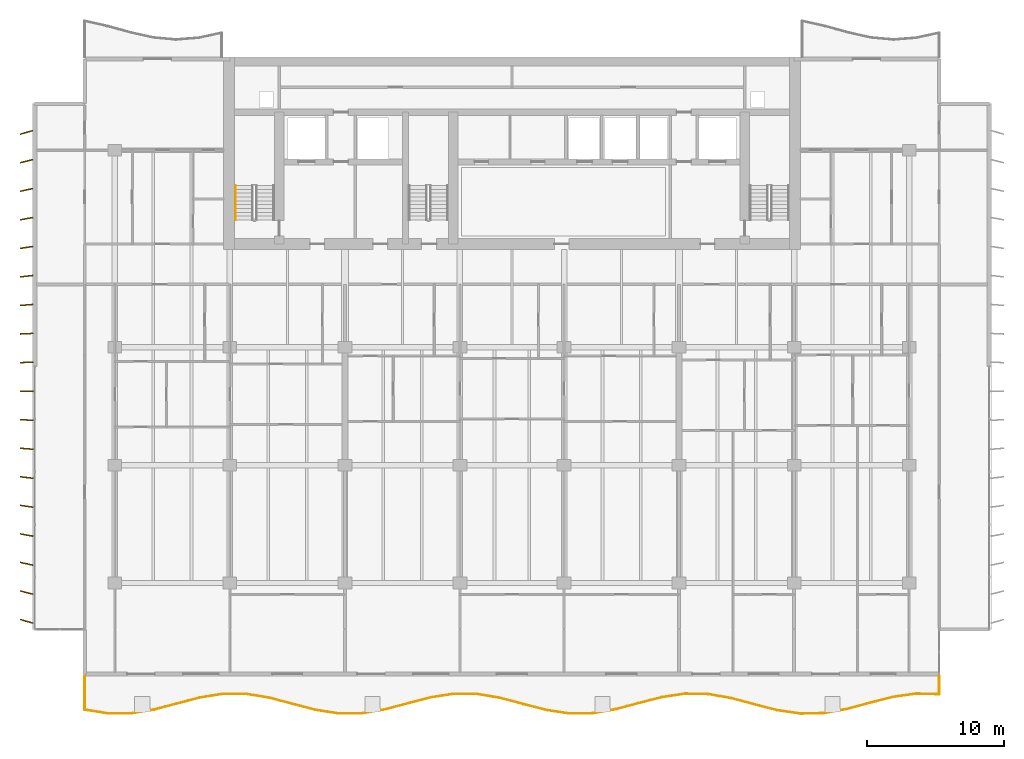
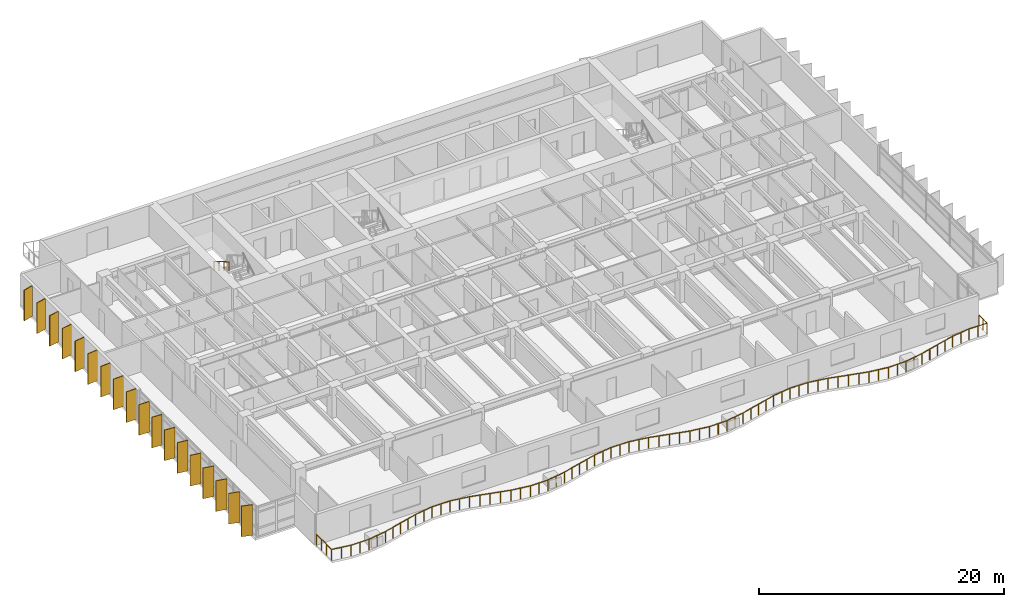
# One storey, part 12 of 15: 18 shading devices, 2 railings.
"""IFC4 building model written with IfcOpenShell, lengths in metres."""

from ifc_helpers import new_model, si_unit, direction, frame, origin, origin_2d, place, context, subcontext, project, spatial, rectangle, circle, extrude, material, material_profile, profile_set, type_object, element, save


model = new_model("IFC4")

# Units and contexts
model_context = context("Model", 3, precision=1e-05, world=origin(), true_north=direction((0.0, 1.0)))
body_context = subcontext(model_context, "Body", "Model", "MODEL_VIEW")
ifc_project = project(units=[si_unit("LENGTHUNIT", "METRE"), si_unit("AREAUNIT", "SQUARE_METRE"), si_unit("VOLUMEUNIT", "CUBIC_METRE"), si_unit("PLANEANGLEUNIT", "RADIAN"), si_unit("MASSUNIT", "GRAM", prefix="KILO")], contexts=[model_context])

# Site, building, storey
site_placement = place(None, origin())
site = spatial("IfcSite", under=ifc_project, at=site_placement, CompositionType="ELEMENT")
building_placement = place(site_placement, origin())
building = spatial("IfcBuilding", under=site, at=building_placement, Name="Caelmar Bay Residences", CompositionType="ELEMENT")
storey_placement = place(building_placement, frame((0.0, 0.0, 132.300048828125)))
storey = spatial("IfcBuildingStorey", under=building, at=storey_placement, Name="L36", CompositionType="ELEMENT", Elevation=132.300048828125)

# Railings
ifc_material_1 = material(Name="Anodised bronze handrail with laminated hurricane glass infill", Category="glass")
railing_type_1 = type_object("IfcRailingType", Name="RL-BAL-1100", PredefinedType="BALUSTRADE", material=ifc_material_1)
railing_1_placement = place(storey_placement, frame((7.699951171875, 5.39990234375, 0.0)))
element("IfcRailing", 1, at=railing_1_placement, inside=storey, type_object=railing_type_1, Name="L36 south Balcony Balustrade", PredefinedType="BALUSTRADE", context=body_context, shape_type="SweptSolid", body=[
    extrude(circle(Radius=0.02392578125, at=origin_2d()), frame((0.0, 0.0, 1.076171875), z_axis=(0.0, -1.0, 0.0), x_axis=(1.0, 0.0, 0.0)), (0.0, 0.0, 1.0), 2.460693359375),
    extrude(circle(Radius=0.02392578125, at=origin_2d()), frame((0.0, -2.460693359375, 1.076171875), z_axis=(0.987132923868, -0.159901815548, 0.0), x_axis=(0.159901815548, 0.987132923868, 0.0)), (0.0, 0.0, 1.0), 1.70849609375),
    extrude(circle(Radius=0.02392578125, at=origin_2d()), frame((1.6865234375, -2.73388671875, 1.076171875), z_axis=(0.999999486594, 0.001013317372, 0.0), x_axis=(-0.001013317372, 0.999999486594, 0.0)), (0.0, 0.0, 1.0), 1.6865234375),
    extrude(circle(Radius=0.02392578125, at=origin_2d()), frame((3.373046875, -2.732177734375, 1.076171875), z_axis=(0.986883688371, 0.161432913703, 0.0), x_axis=(-0.161432913703, 0.986883688371, 0.0)), (0.0, 0.0, 1.0), 1.708984375),
    extrude(circle(Radius=0.02392578125, at=origin_2d()), frame((5.0595703125, -2.456298828125, 1.076171875), z_axis=(0.967096298002, 0.254410594103, 0.0), x_axis=(-0.254410594103, 0.967096298002, 0.0)), (0.0, 0.0, 1.0), 1.74365234375),
    extrude(circle(Radius=0.02392578125, at=origin_2d()), frame((6.745849609375, -2.0126953125, 1.076171875), z_axis=(0.967483280778, 0.252934974679, 0.0), x_axis=(-0.252934974679, 0.967483280778, 0.0)), (0.0, 0.0, 1.0), 1.7431640625),
    extrude(circle(Radius=0.02392578125, at=origin_2d()), frame((8.432373046875, -1.57177734375, 1.076171875), z_axis=(0.987558114501, 0.157254476831, 0.0), x_axis=(-0.157254476831, 0.987558114501, 0.0)), (0.0, 0.0, 1.0), 1.707763671875),
    extrude(circle(Radius=0.02392578125, at=origin_2d()), frame((10.118896484375, -1.30322265625, 1.076171875), z_axis=(0.999990570217, -0.004342750015, 0.0), x_axis=(0.004342750015, 0.999990570217, 0.0)), (0.0, 0.0, 1.0), 1.6865234375),
    extrude(circle(Radius=0.02392578125, at=origin_2d()), frame((11.805419921875, -1.310546875, 1.076171875), z_axis=(0.986471004966, -0.163935830009, 0.0), x_axis=(0.163935830009, 0.986471004966, 0.0)), (0.0, 0.0, 1.0), 1.709716796875),
    extrude(circle(Radius=0.02392578125, at=origin_2d()), frame((13.491943359375, -1.5908203125, 1.076171875), z_axis=(0.966829344983, -0.255423212883, 0.0), x_axis=(0.255423212883, 0.966829344983, 0.0)), (0.0, 0.0, 1.0), 1.744384765625),
    extrude(circle(Radius=0.02392578125, at=origin_2d()), frame((15.178466796875, -2.036376953125, 1.076171875), z_axis=(0.967756968159, -0.251885788759, 0.0), x_axis=(0.251885788759, 0.967756968159, 0.0)), (0.0, 0.0, 1.0), 1.74267578125),
    extrude(circle(Radius=0.02392578125, at=origin_2d()), frame((16.864990234375, -2.475341796875, 1.076171875), z_axis=(0.987998395737, -0.154464138303, 0.0), x_axis=(0.154464138303, 0.987998395737, 0.0)), (0.0, 0.0, 1.0), 1.70703125),
    extrude(circle(Radius=0.02392578125, at=origin_2d()), frame((18.551513671875, -2.739013671875, 1.076171875), z_axis=(0.999970560959, 0.00767314894, 0.0), x_axis=(-0.00767314894, 0.999970560959, 0.0)), (0.0, 0.0, 1.0), 1.686279296875),
    extrude(circle(Radius=0.02392578125, at=origin_2d()), frame((20.23779296875, -2.72607421875, 1.076171875), z_axis=(0.986052329388, 0.16643558426, 0.0), x_axis=(-0.16643558426, 0.986052329388, 0.0)), (0.0, 0.0, 1.0), 1.71044921875),
    extrude(circle(Radius=0.02392578125, at=origin_2d()), frame((21.92431640625, -2.44140625, 1.076171875), z_axis=(0.966621694797, 0.25620792171, 0.0), x_axis=(-0.25620792171, 0.966621694797, 0.0)), (0.0, 0.0, 1.0), 1.744873046875),
    extrude(circle(Radius=0.02392578125, at=origin_2d()), frame((23.61083984375, -1.994384765625, 1.076171875), z_axis=(0.968029671356, 0.250835713915, 0.0), x_axis=(-0.250835713915, 0.968029671356, 0.0)), (0.0, 0.0, 1.0), 1.7421875),
    extrude(circle(Radius=0.02392578125, at=origin_2d()), frame((25.29736328125, -1.557373046875, 1.076171875), z_axis=(0.988388232703, 0.151949667506, 0.0), x_axis=(-0.151949667506, 0.988388232703, 0.0)), (0.0, 0.0, 1.0), 1.706298828125),
    extrude(circle(Radius=0.02392578125, at=origin_2d()), frame((26.98388671875, -1.298095703125, 1.076171875), z_axis=(0.999937883593, -0.011145804435, 0.0), x_axis=(0.011145804435, 0.999937883593, 0.0)), (0.0, 0.0, 1.0), 1.6865234375),
    extrude(circle(Radius=0.02392578125, at=origin_2d()), frame((28.67041015625, -1.31689453125, 1.076171875), z_axis=(0.985627685391, -0.168932133686, 0.0), x_axis=(0.168932133686, 0.985627685391, 0.0)), (0.0, 0.0, 1.0), 1.711181640625),
    extrude(circle(Radius=0.02392578125, at=origin_2d()), frame((30.35693359375, -1.60595703125, 1.076171875), z_axis=(0.966404256029, -0.257026873943, 0.0), x_axis=(0.257026873943, 0.966404256029, 0.0)), (0.0, 0.0, 1.0), 1.744873046875),
    extrude(circle(Radius=0.02392578125, at=origin_2d()), frame((32.043212890625, -2.054443359375, 1.076171875), z_axis=(0.968301387607, -0.249784752854, 0.0), x_axis=(0.249784752854, 0.968301387607, 0.0)), (0.0, 0.0, 1.0), 1.74169921875),
    extrude(circle(Radius=0.02392578125, at=origin_2d()), frame((33.729736328125, -2.489501953125, 1.076171875), z_axis=(0.988793107304, -0.149292300365, 0.0), x_axis=(0.149292300365, 0.988793107304, 0.0)), (0.0, 0.0, 1.0), 1.70556640625),
    extrude(circle(Radius=0.02392578125, at=origin_2d()), frame((35.416259765625, -2.744140625, 1.076171875), z_axis=(0.999895239612, 0.014474453382, 0.0), x_axis=(-0.014474453382, 0.999895239612, 0.0)), (0.0, 0.0, 1.0), 1.686767578125),
    extrude(circle(Radius=0.02392578125, at=origin_2d()), frame((37.102783203125, -2.7197265625, 1.076171875), z_axis=(0.985197097009, 0.171425435814, 0.0), x_axis=(-0.171425435814, 0.985197097009, 0.0)), (0.0, 0.0, 1.0), 1.7119140625),
    extrude(circle(Radius=0.02392578125, at=origin_2d()), frame((38.789306640625, -2.42626953125, 1.076171875), z_axis=(0.966204754092, 0.257775819599, 0.0), x_axis=(-0.257775819599, 0.966204754092, 0.0)), (0.0, 0.0, 1.0), 1.74560546875),
    extrude(circle(Radius=0.02392578125, at=origin_2d()), frame((40.475830078125, -1.976318359375, 1.076171875), z_axis=(0.968572114161, 0.248732908298, 0.0), x_axis=(-0.248732908298, 0.968572114161, 0.0)), (0.0, 0.0, 1.0), 1.7412109375),
    extrude(circle(Radius=0.02392578125, at=origin_2d()), frame((42.162353515625, -1.543212890625, 1.076171875), z_axis=(0.989208844388, 0.146512327756, 0.0), x_axis=(-0.146512327756, 0.989208844388, 0.0)), (0.0, 0.0, 1.0), 1.70458984375),
    extrude(circle(Radius=0.02392578125, at=origin_2d()), frame((43.8486328125, -1.29345703125, 1.076171875), z_axis=(0.999844086604, -0.017657929729, 0.0), x_axis=(0.017657929729, 0.999844086604, 0.0)), (0.0, 0.0, 1.0), 1.686767578125),
    extrude(circle(Radius=0.02392578125, at=origin_2d()), frame((45.53515625, -1.3232421875, 1.076171875), z_axis=(0.984736165002, -0.174053685215, 0.0), x_axis=(0.174053685215, 0.984736165002, 0.0)), (0.0, 0.0, 1.0), 1.712646484375),
    extrude(circle(Radius=0.02392578125, at=origin_2d()), frame((47.2216796875, -1.621337890625, 1.076171875), z_axis=(0.966030385071, -0.258428510656, 0.0), x_axis=(0.258428510656, 0.966030385071, 0.0)), (0.0, 0.0, 1.0), 1.745849609375),
    extrude(circle(Radius=0.02392578125, at=origin_2d()), frame((48.908203125, -2.072509765625, 1.076171875), z_axis=(0.968841848269, -0.247680182983, 0.0), x_axis=(0.247680182983, 0.968841848269, 0.0)), (0.0, 0.0, 1.0), 1.74072265625),
    extrude(circle(Radius=0.02392578125, at=origin_2d()), frame((50.5947265625, -2.503662109375, 1.076171875), z_axis=(0.989623137392, -0.143687320035, 0.0), x_axis=(0.143687320035, 0.989623137392, 0.0)), (0.0, 0.0, 1.0), 1.7041015625),
    extrude(circle(Radius=0.02392578125, at=origin_2d()), frame((52.28125, -2.74853515625, 1.076171875), z_axis=(0.999779715685, 0.020988570837, 0.0), x_axis=(-0.020988570837, 0.999779715685, 0.0)), (0.0, 0.0, 1.0), 1.686767578125),
    extrude(circle(Radius=0.02392578125, at=origin_2d()), frame((53.967529296875, -2.713134765625, 1.076171875), z_axis=(0.984318184636, 0.176402129789, 0.0), x_axis=(-0.176402129789, 0.984318184636, 0.0)), (0.0, 0.0, 1.0), 1.71337890625),
    extrude(circle(Radius=0.02392578125, at=origin_2d()), frame((55.654052734375, -2.410888671875, 1.076171875), z_axis=(0.965785634121, 0.259341683743, 0.0), x_axis=(-0.259341683743, 0.965785634121, 0.0)), (0.0, 0.0, 1.0), 1.746337890625),
    extrude(circle(Radius=0.02392578125, at=origin_2d()), frame((57.340576171875, -1.9580078125, 1.076171875), z_axis=(0.969177616103, 0.246363041962, 0.0), x_axis=(-0.246363041962, 0.969177616103, 0.0)), (0.0, 0.0, 1.0), 1.740234375),
    extrude(circle(Radius=0.02392578125, at=origin_2d()), frame((59.027099609375, -1.529296875, 1.076171875), z_axis=(0.990006737563, 0.141020068003, 0.0), x_axis=(-0.141020068003, 0.990006737563, 0.0)), (0.0, 0.0, 1.0), 1.70361328125),
    extrude(circle(Radius=0.02392578125, at=origin_2d()), frame((60.713623046875, -1.2890625, 1.076171875), z_axis=(0.999700881094, -0.024457071353, 0.0), x_axis=(0.024457071353, 0.999700881094, 0.0)), (0.0, 0.0, 1.0), 1.68701171875),
    extrude(circle(Radius=0.02392578125, at=origin_2d()), frame((62.400146484375, -1.330322265625, 1.076171875), z_axis=(0.0, 1.0, 0.0), x_axis=(-1.0, 0.0, 0.0)), (0.0, 0.0, 1.0), 1.330322265625),
    extrude(circle(Radius=0.02099609375, at=origin_2d()), origin(), (0.0, 0.0, 1.0), 1.052001953125),
    extrude(circle(Radius=0.02099609375, at=origin_2d()), frame((0.0, -0.8203125, 0.0)), (0.0, 0.0, 1.0), 1.052001953125),
    extrude(circle(Radius=0.02099609375, at=origin_2d()), frame((0.0, -1.640380859375, 0.0)), (0.0, 0.0, 1.0), 1.052001953125),
    extrude(circle(Radius=0.02099609375, at=origin_2d()), frame((0.0, -2.460693359375, 0.0)), (0.0, 0.0, 1.0), 1.052001953125),
    extrude(circle(Radius=0.02099609375, at=origin_2d()), frame((0.84326171875, -2.59716796875, 0.0)), (0.0, 0.0, 1.0), 1.052001953125),
    extrude(circle(Radius=0.02099609375, at=origin_2d()), frame((1.6865234375, -2.73388671875, 0.0)), (0.0, 0.0, 1.0), 1.052001953125),
    extrude(circle(Radius=0.02099609375, at=origin_2d()), frame((2.52978515625, -2.73291015625, 0.0)), (0.0, 0.0, 1.0), 1.052001953125),
    extrude(circle(Radius=0.02099609375, at=origin_2d()), frame((3.373046875, -2.732177734375, 0.0)), (0.0, 0.0, 1.0), 1.052001953125),
    extrude(circle(Radius=0.02099609375, at=origin_2d()), frame((4.21630859375, -2.59423828125, 0.0)), (0.0, 0.0, 1.0), 1.052001953125),
    extrude(circle(Radius=0.02099609375, at=origin_2d()), frame((5.0595703125, -2.456298828125, 0.0)), (0.0, 0.0, 1.0), 1.052001953125),
    extrude(circle(Radius=0.02099609375, at=origin_2d()), frame((5.90283203125, -2.234375, 0.0)), (0.0, 0.0, 1.0), 1.052001953125),
    extrude(circle(Radius=0.02099609375, at=origin_2d()), frame((6.745849609375, -2.0126953125, 0.0)), (0.0, 0.0, 1.0), 1.052001953125),
    extrude(circle(Radius=0.02099609375, at=origin_2d()), frame((7.589111328125, -1.792236328125, 0.0)), (0.0, 0.0, 1.0), 1.052001953125),
    extrude(circle(Radius=0.02099609375, at=origin_2d()), frame((8.432373046875, -1.57177734375, 0.0)), (0.0, 0.0, 1.0), 1.052001953125),
    extrude(circle(Radius=0.02099609375, at=origin_2d()), frame((9.275634765625, -1.4375, 0.0)), (0.0, 0.0, 1.0), 1.052001953125),
    extrude(circle(Radius=0.02099609375, at=origin_2d()), frame((10.118896484375, -1.30322265625, 0.0)), (0.0, 0.0, 1.0), 1.052001953125),
    extrude(circle(Radius=0.02099609375, at=origin_2d()), frame((10.962158203125, -1.306884765625, 0.0)), (0.0, 0.0, 1.0), 1.052001953125),
    extrude(circle(Radius=0.02099609375, at=origin_2d()), frame((11.805419921875, -1.310546875, 0.0)), (0.0, 0.0, 1.0), 1.052001953125),
    extrude(circle(Radius=0.02099609375, at=origin_2d()), frame((12.648681640625, -1.45068359375, 0.0)), (0.0, 0.0, 1.0), 1.052001953125),
    extrude(circle(Radius=0.02099609375, at=origin_2d()), frame((13.491943359375, -1.5908203125, 0.0)), (0.0, 0.0, 1.0), 1.052001953125),
    extrude(circle(Radius=0.02099609375, at=origin_2d()), frame((14.335205078125, -1.8134765625, 0.0)), (0.0, 0.0, 1.0), 1.052001953125),
    extrude(circle(Radius=0.02099609375, at=origin_2d()), frame((15.178466796875, -2.036376953125, 0.0)), (0.0, 0.0, 1.0), 1.052001953125),
    extrude(circle(Radius=0.02099609375, at=origin_2d()), frame((16.021728515625, -2.255859375, 0.0)), (0.0, 0.0, 1.0), 1.052001953125),
    extrude(circle(Radius=0.02099609375, at=origin_2d()), frame((16.864990234375, -2.475341796875, 0.0)), (0.0, 0.0, 1.0), 1.052001953125),
    extrude(circle(Radius=0.02099609375, at=origin_2d()), frame((17.708251953125, -2.607177734375, 0.0)), (0.0, 0.0, 1.0), 1.052001953125),
    extrude(circle(Radius=0.02099609375, at=origin_2d()), frame((18.551513671875, -2.739013671875, 0.0)), (0.0, 0.0, 1.0), 1.052001953125),
    extrude(circle(Radius=0.02099609375, at=origin_2d()), frame((19.39453125, -2.732421875, 0.0)), (0.0, 0.0, 1.0), 1.052001953125),
    extrude(circle(Radius=0.02099609375, at=origin_2d()), frame((20.23779296875, -2.72607421875, 0.0)), (0.0, 0.0, 1.0), 1.052001953125),
    extrude(circle(Radius=0.02099609375, at=origin_2d()), frame((21.0810546875, -2.583740234375, 0.0)), (0.0, 0.0, 1.0), 1.052001953125),
    extrude(circle(Radius=0.02099609375, at=origin_2d()), frame((21.92431640625, -2.44140625, 0.0)), (0.0, 0.0, 1.0), 1.052001953125),
    extrude(circle(Radius=0.02099609375, at=origin_2d()), frame((22.767578125, -2.2177734375, 0.0)), (0.0, 0.0, 1.0), 1.052001953125),
    extrude(circle(Radius=0.02099609375, at=origin_2d()), frame((23.61083984375, -1.994384765625, 0.0)), (0.0, 0.0, 1.0), 1.052001953125),
    extrude(circle(Radius=0.02099609375, at=origin_2d()), frame((24.4541015625, -1.77587890625, 0.0)), (0.0, 0.0, 1.0), 1.052001953125),
    extrude(circle(Radius=0.02099609375, at=origin_2d()), frame((25.29736328125, -1.557373046875, 0.0)), (0.0, 0.0, 1.0), 1.052001953125),
    extrude(circle(Radius=0.02099609375, at=origin_2d()), frame((26.140625, -1.427734375, 0.0)), (0.0, 0.0, 1.0), 1.052001953125),
    extrude(circle(Radius=0.02099609375, at=origin_2d()), frame((26.98388671875, -1.298095703125, 0.0)), (0.0, 0.0, 1.0), 1.052001953125),
    extrude(circle(Radius=0.02099609375, at=origin_2d()), frame((27.8271484375, -1.3076171875, 0.0)), (0.0, 0.0, 1.0), 1.052001953125),
    extrude(circle(Radius=0.02099609375, at=origin_2d()), frame((28.67041015625, -1.31689453125, 0.0)), (0.0, 0.0, 1.0), 1.052001953125),
    extrude(circle(Radius=0.02099609375, at=origin_2d()), frame((29.513671875, -1.46142578125, 0.0)), (0.0, 0.0, 1.0), 1.052001953125),
    extrude(circle(Radius=0.02099609375, at=origin_2d()), frame((30.35693359375, -1.60595703125, 0.0)), (0.0, 0.0, 1.0), 1.052001953125),
    extrude(circle(Radius=0.02099609375, at=origin_2d()), frame((31.2001953125, -1.830078125, 0.0)), (0.0, 0.0, 1.0), 1.052001953125),
    extrude(circle(Radius=0.02099609375, at=origin_2d()), frame((32.043212890625, -2.054443359375, 0.0)), (0.0, 0.0, 1.0), 1.052001953125),
    extrude(circle(Radius=0.02099609375, at=origin_2d()), frame((32.886474609375, -2.27197265625, 0.0)), (0.0, 0.0, 1.0), 1.052001953125),
    extrude(circle(Radius=0.02099609375, at=origin_2d()), frame((33.729736328125, -2.489501953125, 0.0)), (0.0, 0.0, 1.0), 1.052001953125),
    extrude(circle(Radius=0.02099609375, at=origin_2d()), frame((34.572998046875, -2.61669921875, 0.0)), (0.0, 0.0, 1.0), 1.052001953125),
    extrude(circle(Radius=0.02099609375, at=origin_2d()), frame((35.416259765625, -2.744140625, 0.0)), (0.0, 0.0, 1.0), 1.052001953125),
    extrude(circle(Radius=0.02099609375, at=origin_2d()), frame((36.259521484375, -2.73193359375, 0.0)), (0.0, 0.0, 1.0), 1.052001953125),
    extrude(circle(Radius=0.02099609375, at=origin_2d()), frame((37.102783203125, -2.7197265625, 0.0)), (0.0, 0.0, 1.0), 1.052001953125),
    extrude(circle(Radius=0.02099609375, at=origin_2d()), frame((37.946044921875, -2.572998046875, 0.0)), (0.0, 0.0, 1.0), 1.052001953125),
    extrude(circle(Radius=0.02099609375, at=origin_2d()), frame((38.789306640625, -2.42626953125, 0.0)), (0.0, 0.0, 1.0), 1.052001953125),
    extrude(circle(Radius=0.02099609375, at=origin_2d()), frame((39.632568359375, -2.201171875, 0.0)), (0.0, 0.0, 1.0), 1.052001953125),
    extrude(circle(Radius=0.02099609375, at=origin_2d()), frame((40.475830078125, -1.976318359375, 0.0)), (0.0, 0.0, 1.0), 1.052001953125),
    extrude(circle(Radius=0.02099609375, at=origin_2d()), frame((41.319091796875, -1.759765625, 0.0)), (0.0, 0.0, 1.0), 1.052001953125),
    extrude(circle(Radius=0.02099609375, at=origin_2d()), frame((42.162353515625, -1.543212890625, 0.0)), (0.0, 0.0, 1.0), 1.052001953125),
    extrude(circle(Radius=0.02099609375, at=origin_2d()), frame((43.00537109375, -1.41845703125, 0.0)), (0.0, 0.0, 1.0), 1.052001953125),
    extrude(circle(Radius=0.02099609375, at=origin_2d()), frame((43.8486328125, -1.29345703125, 0.0)), (0.0, 0.0, 1.0), 1.052001953125),
    extrude(circle(Radius=0.02099609375, at=origin_2d()), frame((44.69189453125, -1.308349609375, 0.0)), (0.0, 0.0, 1.0), 1.052001953125),
    extrude(circle(Radius=0.02099609375, at=origin_2d()), frame((45.53515625, -1.3232421875, 0.0)), (0.0, 0.0, 1.0), 1.052001953125),
    extrude(circle(Radius=0.02099609375, at=origin_2d()), frame((46.37841796875, -1.47216796875, 0.0)), (0.0, 0.0, 1.0), 1.052001953125),
    extrude(circle(Radius=0.02099609375, at=origin_2d()), frame((47.2216796875, -1.621337890625, 0.0)), (0.0, 0.0, 1.0), 1.052001953125),
    extrude(circle(Radius=0.02099609375, at=origin_2d()), frame((48.06494140625, -1.846923828125, 0.0)), (0.0, 0.0, 1.0), 1.052001953125),
    extrude(circle(Radius=0.02099609375, at=origin_2d()), frame((48.908203125, -2.072509765625, 0.0)), (0.0, 0.0, 1.0), 1.052001953125),
    extrude(circle(Radius=0.02099609375, at=origin_2d()), frame((49.75146484375, -2.2880859375, 0.0)), (0.0, 0.0, 1.0), 1.052001953125),
    extrude(circle(Radius=0.02099609375, at=origin_2d()), frame((50.5947265625, -2.503662109375, 0.0)), (0.0, 0.0, 1.0), 1.052001953125),
    extrude(circle(Radius=0.02099609375, at=origin_2d()), frame((51.43798828125, -2.6259765625, 0.0)), (0.0, 0.0, 1.0), 1.052001953125),
    extrude(circle(Radius=0.02099609375, at=origin_2d()), frame((52.28125, -2.74853515625, 0.0)), (0.0, 0.0, 1.0), 1.052001953125),
    extrude(circle(Radius=0.02099609375, at=origin_2d()), frame((53.12451171875, -2.73095703125, 0.0)), (0.0, 0.0, 1.0), 1.052001953125),
    extrude(circle(Radius=0.02099609375, at=origin_2d()), frame((53.967529296875, -2.713134765625, 0.0)), (0.0, 0.0, 1.0), 1.052001953125),
    extrude(circle(Radius=0.02099609375, at=origin_2d()), frame((54.810791015625, -2.56201171875, 0.0)), (0.0, 0.0, 1.0), 1.052001953125),
    extrude(circle(Radius=0.02099609375, at=origin_2d()), frame((55.654052734375, -2.410888671875, 0.0)), (0.0, 0.0, 1.0), 1.052001953125),
    extrude(circle(Radius=0.02099609375, at=origin_2d()), frame((56.497314453125, -2.1845703125, 0.0)), (0.0, 0.0, 1.0), 1.052001953125),
    extrude(circle(Radius=0.02099609375, at=origin_2d()), frame((57.340576171875, -1.9580078125, 0.0)), (0.0, 0.0, 1.0), 1.052001953125),
    extrude(circle(Radius=0.02099609375, at=origin_2d()), frame((58.183837890625, -1.74365234375, 0.0)), (0.0, 0.0, 1.0), 1.052001953125),
    extrude(circle(Radius=0.02099609375, at=origin_2d()), frame((59.027099609375, -1.529296875, 0.0)), (0.0, 0.0, 1.0), 1.052001953125),
    extrude(circle(Radius=0.02099609375, at=origin_2d()), frame((59.870361328125, -1.4091796875, 0.0)), (0.0, 0.0, 1.0), 1.052001953125),
    extrude(circle(Radius=0.02099609375, at=origin_2d()), frame((60.713623046875, -1.2890625, 0.0)), (0.0, 0.0, 1.0), 1.052001953125),
    extrude(circle(Radius=0.02099609375, at=origin_2d()), frame((61.556884765625, -1.3095703125, 0.0)), (0.0, 0.0, 1.0), 1.052001953125),
    extrude(circle(Radius=0.02099609375, at=origin_2d()), frame((62.400146484375, -1.330322265625, 0.0)), (0.0, 0.0, 1.0), 1.052001953125),
    extrude(circle(Radius=0.02099609375, at=origin_2d()), frame((62.400146484375, -0.6650390625, 0.0)), (0.0, 0.0, 1.0), 1.052001953125),
    extrude(circle(Radius=0.02099609375, at=origin_2d()), frame((62.400146484375, 0.0, 0.0)), (0.0, 0.0, 1.0), 1.052001953125),
])
ifc_material_2 = material(Name="Brushed bronze stainless-steel tubular handrail 900 mm", Category="steel")
railing_type_2 = type_object("IfcRailingType", Name="RL-HND-900", PredefinedType="HANDRAIL", material=ifc_material_2)
railing_2_placement = place(storey_placement, frame((18.699951171875, 41.219970703125, 1.81494140625)))
element("IfcRailing", 2, at=railing_2_placement, inside=storey, type_object=railing_type_2, Name="L36 ST1 stair handrail 2", PredefinedType="HANDRAIL", context=body_context, shape_type="SweptSolid", body=[
    extrude(circle(Radius=0.02392578125, at=origin_2d()), frame((0.0, 0.0, 0.8759765625), z_axis=(0.0, -0.86152411907, 0.507716645641), x_axis=(1.0, 0.0, 0.0)), (0.0, 0.0, 1.0), 2.925048828125),
    extrude(circle(Radius=0.02099609375, at=origin_2d()), origin(), (0.0, 0.0, 1.0), 0.851806640625),
    extrude(circle(Radius=0.02099609375, at=origin_2d()), frame((0.0, -0.840087890625, 0.4951171875)), (0.0, 0.0, 1.0), 0.851806640625),
    extrude(circle(Radius=0.02099609375, at=origin_2d()), frame((0.0, -1.679931640625, 0.989990234375)), (0.0, 0.0, 1.0), 0.851806640625),
    extrude(circle(Radius=0.02099609375, at=origin_2d()), frame((0.0, -2.52001953125, 1.485107421875)), (0.0, 0.0, 1.0), 0.851806640625),
])

# Shading devices
ifc_material_3 = material(Name="Anodised architectural bronze aluminium 6063-T6", Category="aluminium")
ifc_material_profile = material_profile(ifc_material_3, rectangle(XDim=0.074951171875, YDim=0.949951171875, at=origin_2d()), Name="BRONZE-FIN-75X950")
ifc_profile_set = profile_set([ifc_material_profile], Name="Anodised architectural bronze aluminium 6063-T6")
shading_device_type = type_object("IfcShadingDeviceType", Name="SHD-FIN-950", PredefinedType="USERDEFINED", material=ifc_profile_set)
for number, where, z_axis, x_axis, name in (
    (3, (3.449951171875, 9.39990234375, 0.0), (0.0, 0.0, 1.0), (0.275637355817, 0.961261695938, 0.0), "L36 West Bronze Solar Fin 1"),
    (4, (3.449951171875, 11.5, 0.0), (0.0, 0.0, 1.0), (0.243953546137, 0.969786918517, 0.0), "L36 West Bronze Solar Fin 2"),
    (5, (3.449951171875, 13.60009765625, 0.0), (0.0, 0.0, 1.0), (0.212007109922, 0.977268123568, 0.0), "L36 West Bronze Solar Fin 3"),
    (6, (3.449951171875, 15.699951171875, 0.0), (0.0, 0.0, 1.0), (0.179660748593, 0.98372862895, 0.0), "L36 West Bronze Solar Fin 4"),
    (7, (3.449951171875, 17.800048828125, 0.0), (0.0, 0.0, 1.0), (0.147291543397, 0.989093120613, 0.0), "L36 West Bronze Solar Fin 5"),
    (8, (3.449951171875, 19.89990234375, 0.0), (0.0, 0.0, 1.0), (0.114763772489, 0.993392810787, 0.0), "L36 West Bronze Solar Fin 6"),
    (9, (3.449951171875, 22.0, 0.0), (0.0, 0.0, 1.0), (0.08211245342, 0.996623070671, 0.0), "L36 West Bronze Solar Fin 7"),
    (10, (3.449951171875, 24.10009765625, 0.0), (0.0, 0.0, 1.0), (0.049198415926, 0.998789024705, 0.0), "L36 West Bronze Solar Fin 8"),
    (11, (3.449951171875, 26.199951171875, 0.0), (0.0, 0.0, 1.0), (0.016405359001, 0.999865423043, 0.0), "L36 West Bronze Solar Fin 9"),
    (12, (3.449951171875, 28.300048828125, 0.0), (0.0, 0.0, 1.0), (-0.016405359001, 0.999865423043, 0.0), "L36 West Bronze Solar Fin 10"),
    (13, (3.449951171875, 30.39990234375, 0.0), (0.0, 0.0, 1.0), (-0.049198415926, 0.998789024705, 0.0), "L36 West Bronze Solar Fin 11"),
    (14, (3.449951171875, 32.5, 0.0), (0.0, 0.0, 1.0), (-0.08211245342, 0.996623070671, 0.0), "L36 West Bronze Solar Fin 12"),
    (15, (3.449951171875, 34.60009765625, 0.0), (0.0, 0.0, 1.0), (-0.114763772489, 0.993392810787, 0.0), "L36 West Bronze Solar Fin 13"),
    (16, (3.449951171875, 36.699951171875, 0.0), (0.0, 0.0, 1.0), (-0.147291543397, 0.989093120613, 0.0), "L36 West Bronze Solar Fin 14"),
    (17, (3.449951171875, 38.800048828125, 0.0), (0.0, 0.0, 1.0), (-0.179660748593, 0.98372862895, 0.0), "L36 West Bronze Solar Fin 15"),
    (18, (3.449951171875, 40.89990234375, 0.0), (0.0, 0.0, 1.0), (-0.212007109922, 0.977268123568, 0.0), "L36 West Bronze Solar Fin 16"),
    (19, (3.449951171875, 43.0, 0.0), (0.0, 0.0, 1.0), (-0.243953546137, 0.969786918517, 0.0), "L36 West Bronze Solar Fin 17"),
    (20, (3.449951171875, 45.10009765625, 0.0), (0.0, 0.0, 1.0), (-0.275637355817, 0.961261695938, 0.0), "L36 West Bronze Solar Fin 18"),
):
    element("IfcShadingDevice", number, at=place(storey_placement, frame(where, z_axis=z_axis, x_axis=x_axis)), inside=storey, type_object=shading_device_type, Name=name, ObjectType="FIN", PredefinedType="USERDEFINED", context=body_context, shape_type="SweptSolid", body=[
        extrude(rectangle(XDim=0.074951171875, YDim=0.949951171875, at=origin_2d()), origin(), (0.0, 0.0, 1.0), 3.050048828125),
    ])

save(model, "model.ifc")
